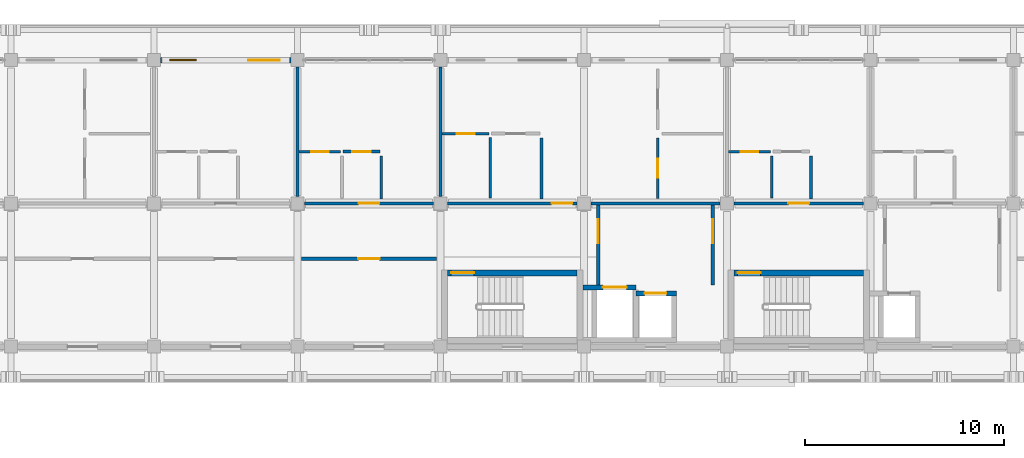
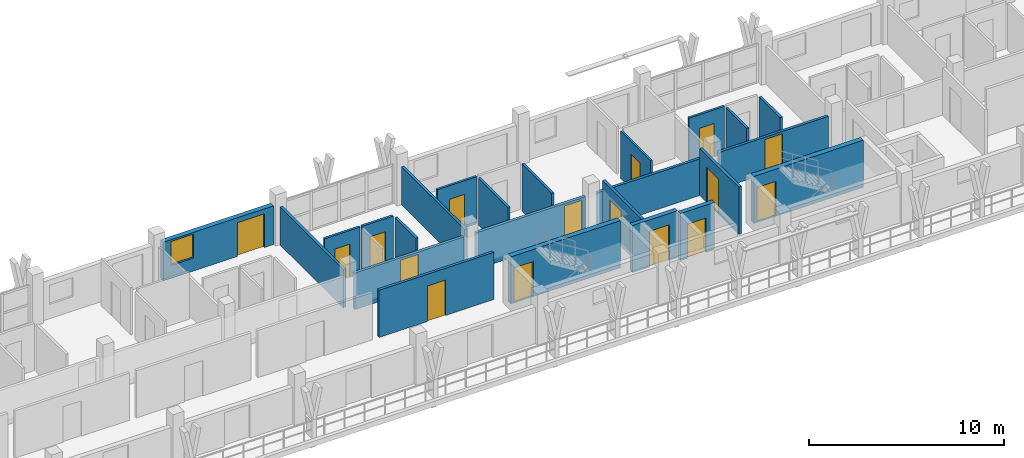
# One storey, part 122 of 157: 24 walls, 16 doors, 1 window, 17 openings.
"""IFC4 building model written with IfcOpenShell, lengths in metres."""

from ifc_helpers import new_model, si_unit, direction, frame, frame_2d, origin, place, context, subcontext, project, spatial, rectangle, extrude, material, layer, layer_set, type_object, element, fill, save


model = new_model("IFC4")

# Units and contexts
model_context = context("Model", 3, precision=1e-05, world=origin(), true_north=direction((0.0, 1.0)))
body_context = subcontext(model_context, "Body", "Model", "MODEL_VIEW")
ifc_project = project(units=[si_unit("LENGTHUNIT", "METRE"), si_unit("AREAUNIT", "SQUARE_METRE"), si_unit("VOLUMEUNIT", "CUBIC_METRE"), si_unit("PLANEANGLEUNIT", "RADIAN"), si_unit("MASSUNIT", "GRAM", prefix="KILO")], contexts=[model_context])

# Site, building, storey
site_placement = place(None, origin())
site = spatial("IfcSite", under=ifc_project, at=site_placement, CompositionType="ELEMENT")
building_placement = place(site_placement, origin())
building = spatial("IfcBuilding", under=site, at=building_placement, Name="Suanplinth Sawtooth Commons", CompositionType="ELEMENT")
storey_placement = place(building_placement, frame((0.0, 0.0, 9.0)))
storey = spatial("IfcBuildingStorey", under=building, at=storey_placement, Name="L02", CompositionType="ELEMENT", Elevation=9.0)

# Wall, opening, door
ifc_material_1 = material(Name="Concrete C40/50", Category="concrete")
ifc_layer_1 = layer(ifc_material_1, 0.300048828125, Name="Standard RC stair and lift core wall 300mm")
ifc_layer_set_1 = layer_set([ifc_layer_1], Name="Concrete C40/50")
wall_type_1 = type_object("IfcWallType", Name="W-CR02", PredefinedType="SHEAR", material=ifc_layer_set_1)
wall_1_placement = place(storey_placement, frame((43.550048828125, 111.699951171875, 0.0), z_axis=(0.0, 0.0, 1.0), x_axis=(1.0, 0.0, 0.0)))
wall_1 = element("IfcWall", 1, at=wall_1_placement, inside=storey, type_object=wall_type_1, Name="W-L02-C-A1-STN", PredefinedType="SHEAR", context=body_context, shape_type="SweptSolid", body=[
    extrude(rectangle(XDim=6.5, YDim=0.300048828125, at=frame_2d((3.25, 0.0))), origin(), (0.0, 0.0, 1.0), 2.9599609375),
])
opening_1_placement = place(wall_1_placement, frame((0.179931640625, 0.0, 0.0)))
opening_1 = element("IfcOpeningElement", 2, at=opening_1_placement, cuts=wall_1, Name="Opening FD0016", PredefinedType="OPENING", context=body_context, shape_type="SweptSolid", body=[
    extrude(rectangle(XDim=1.14990234375, YDim=2.199951171875, at=frame_2d((0.574951171875, 1.10009765625))), frame((0.0, 0.1650390625, 0.0), z_axis=(0.0, -1.0, 0.0), x_axis=(1.0, 0.0, 0.0)), (0.0, 0.0, 1.0), 0.329833984375),
])
ifc_material_2 = material(Name="Teak hardwood fire-rated door assembly", Category="wood")
door_type_1 = type_object("IfcDoorType", Name="FD-01", OperationType="NOTDEFINED", PredefinedType="DOOR", material=ifc_material_2)
door_1_placement = place(opening_1_placement, frame((1.14990234375, 0.0, 0.0), z_axis=(0.0, 0.0, 1.0), x_axis=(-1.0, 0.0, 0.0)))
door_1 = element("IfcDoor", 3, at=door_1_placement, inside=storey, type_object=door_type_1, Name="Exit Stair Fire Door FD0016", OperationType="SINGLE_SWING_LEFT", OverallHeight=2.199951171875, OverallWidth=1.14990234375, PredefinedType="DOOR", context=body_context, shape_type="SweptSolid", body=[
    extrude(rectangle(XDim=1.14990234375, YDim=2.199951171875, at=frame_2d((0.574951171875, 1.10009765625))), frame((0.0, 0.02490234375, 0.0), z_axis=(0.0, -1.0, 0.0), x_axis=(1.0, 0.0, 0.0)), (0.0, 0.0, 1.0), 0.050048828125),
])
fill(opening_1, door_1)

wall_2_placement = place(storey_placement, frame((57.949951171875, 111.699951171875, 0.0), z_axis=(0.0, 0.0, 1.0), x_axis=(1.0, 0.0, 0.0)))
wall_2 = element("IfcWall", 4, at=wall_2_placement, inside=storey, type_object=wall_type_1, Name="W-L02-C-A2-STN", PredefinedType="SHEAR", context=body_context, shape_type="SweptSolid", body=[
    extrude(rectangle(XDim=6.5, YDim=0.300048828125, at=frame_2d((3.25, 0.0))), origin(), (0.0, 0.0, 1.0), 2.9599609375),
])
opening_2_placement = place(wall_2_placement, frame((0.179931640625, 0.0, 0.0)))
opening_2 = element("IfcOpeningElement", 5, at=opening_2_placement, cuts=wall_2, Name="Opening FD0098", PredefinedType="OPENING", context=body_context, shape_type="SweptSolid", body=[
    extrude(rectangle(XDim=1.14990234375, YDim=2.199951171875, at=frame_2d((0.574951171875, 1.10009765625))), frame((0.0, 0.1650390625, 0.0), z_axis=(0.0, -1.0, 0.0), x_axis=(1.0, 0.0, 0.0)), (0.0, 0.0, 1.0), 0.329833984375),
])
door_2_placement = place(opening_2_placement, frame((1.14990234375, 0.0, 0.0), z_axis=(0.0, 0.0, 1.0), x_axis=(-1.0, 0.0, 0.0)))
door_2 = element("IfcDoor", 6, at=door_2_placement, inside=storey, type_object=door_type_1, Name="Exit Stair Fire Door FD0098", OperationType="SINGLE_SWING_RIGHT", OverallHeight=2.199951171875, OverallWidth=1.14990234375, PredefinedType="DOOR", context=body_context, shape_type="SweptSolid", body=[
    extrude(rectangle(XDim=1.14990234375, YDim=2.199951171875, at=frame_2d((0.574951171875, 1.10009765625))), frame((0.0, 0.02490234375, 0.0), z_axis=(0.0, -1.0, 0.0), x_axis=(1.0, 0.0, 0.0)), (0.0, 0.0, 1.0), 0.050048828125),
])
fill(opening_2, door_2)

# Wall, openings, door, window
ifc_material_3 = material(Name="Precast concrete C40/50", Category="concrete")
ifc_layer_2 = layer(ifc_material_3, 0.280029296875, Name="Insulated precast architectural facade wall 280mm")
ifc_layer_set_2 = layer_set([ifc_layer_2], Name="Precast concrete C40/50")
wall_type_2 = type_object("IfcWallType", Name="W-EX01", PredefinedType="ELEMENTEDWALL", material=ifc_layer_set_2)
wall_3_placement = place(storey_placement, frame((29.125, 122.39990234375, 0.0), z_axis=(0.0, 0.0, 1.0), x_axis=(1.0, 0.0, 0.0)))
wall_3 = element("IfcWall", 7, at=wall_3_placement, inside=storey, type_object=wall_type_2, Name="Facade Wall W-L02-A-N-4", PredefinedType="ELEMENTEDWALL", context=body_context, shape_type="SweptSolid", body=[
    extrude(rectangle(XDim=6.550048828125, YDim=0.280029296875, at=frame_2d((3.27490234375, 0.0))), origin(), (0.0, 0.0, 1.0), 2.425048828125),
])
opening_3_placement = place(wall_3_placement, frame((4.39990234375, 0.0, 0.0)))
opening_3 = element("IfcOpeningElement", 8, at=opening_3_placement, cuts=wall_3, Name="Opening ED0136", PredefinedType="OPENING", context=body_context, shape_type="SweptSolid", body=[
    extrude(rectangle(XDim=1.60009765625, YDim=2.1201171875, at=frame_2d((0.800048828125, 1.06005859375))), frame((0.0, 0.15478515625, 0.0), z_axis=(0.0, -1.0, 0.0), x_axis=(1.0, 0.0, 0.0)), (0.0, 0.0, 1.0), 0.309814453125),
])
opening_4_placement = place(wall_3_placement, frame((0.449951171875, 0.0, 0.81494140625)))
opening_4 = element("IfcOpeningElement", 9, at=opening_4_placement, cuts=wall_3, Name="Opening W0253", PredefinedType="OPENING", context=body_context, shape_type="SweptSolid", body=[
    extrude(rectangle(XDim=1.35009765625, YDim=1.5, at=frame_2d((0.675048828125, 0.75))), frame((0.0, 0.15478515625, 0.0), z_axis=(0.0, -1.0, 0.0), x_axis=(1.0, 0.0, 0.0)), (0.0, 0.0, 1.0), 0.309814453125),
])
ifc_material_4 = material(Name="Anodized aluminium and low-E glass", Category="aluminium")
door_type_2 = type_object("IfcDoorType", Name="SD-02", OperationType="SLIDING_TO_RIGHT", PredefinedType="DOOR", material=ifc_material_4)
door_3_placement = place(opening_3_placement, frame((1.60009765625, 0.0, 0.0), z_axis=(0.0, 0.0, 1.0), x_axis=(-1.0, 0.0, 0.0)))
door_3 = element("IfcDoor", 10, at=door_3_placement, inside=storey, type_object=door_type_2, Name="Balcony Sliding Door L02-A-N-4", OperationType="SLIDING_TO_RIGHT", OverallHeight=2.1201171875, OverallWidth=1.60009765625, PredefinedType="DOOR", context=body_context, shape_type="SweptSolid", body=[
    extrude(rectangle(XDim=1.60009765625, YDim=2.1201171875, at=frame_2d((0.800048828125, 1.06005859375))), frame((0.0, 0.02490234375, 0.0), z_axis=(0.0, -1.0, 0.0), x_axis=(1.0, 0.0, 0.0)), (0.0, 0.0, 1.0), 0.050048828125),
])
fill(opening_3, door_3)
ifc_material_5 = material(Name="Thermally broken aluminium and low-E double glazing", Category="aluminium")
window_type = type_object("IfcWindowType", Name="WN-14", PartitioningType="SINGLE_PANEL", PredefinedType="WINDOW", material=ifc_material_5)
window_placement = place(opening_4_placement, origin())
window = element("IfcWindow", 11, at=window_placement, inside=storey, type_object=window_type, Name="Window L02-A-N-4", OverallHeight=1.5, OverallWidth=1.35009765625, PartitioningType="SINGLE_PANEL", PredefinedType="WINDOW", context=body_context, shape_type="SweptSolid", body=[
    extrude(rectangle(XDim=1.35009765625, YDim=1.5, at=frame_2d((0.675048828125, 0.75))), frame((0.0, 0.030029296875, 0.0), z_axis=(0.0, -1.0, 0.0), x_axis=(1.0, 0.0, 0.0)), (0.0, 0.0, 1.0), 0.06005859375),
])
fill(opening_4, window)

# Wall, opening, door
ifc_layer_3 = layer(ifc_material_3, 0.159912109375, Name="Fire-rated corridor and lobby wall 160mm")
ifc_layer_set_3 = layer_set([ifc_layer_3], Name="Precast concrete C40/50")
wall_type_3 = type_object("IfcWallType", Name="W-FW01", PredefinedType="PARTITIONING", material=ifc_layer_set_3)
wall_4_placement = place(storey_placement, frame((51.1201171875, 111.10009765625, 0.0), z_axis=(0.0, 0.0, 1.0), x_axis=(0.0, 1.0, 0.0)))
wall_4 = element("IfcWall", 12, at=wall_4_placement, inside=storey, type_object=wall_type_3, Name="W-L02-C-A1-LOB-W", PredefinedType="PARTITIONING", context=body_context, shape_type="SweptSolid", body=[
    extrude(rectangle(XDim=4.02001953125, YDim=0.159912109375, at=frame_2d((2.010009765625, 0.0))), origin(), (0.0, 0.0, 1.0), 2.9599609375),
])
opening_5_placement = place(wall_4_placement, frame((2.10009765625, 0.0, 0.0)))
opening_5 = element("IfcOpeningElement", 13, at=opening_5_placement, cuts=wall_4, Name="Opening FD0017", PredefinedType="OPENING", context=body_context, shape_type="SweptSolid", body=[
    extrude(rectangle(XDim=1.199951171875, YDim=2.199951171875, at=frame_2d((0.60009765625, 1.10009765625))), frame((0.0, 0.0947265625, 0.0), z_axis=(0.0, -1.0, 0.0), x_axis=(1.0, 0.0, 0.0)), (0.0, 0.0, 1.0), 0.189697265625),
])
door_type_3 = type_object("IfcDoorType", Name="FD-02", OperationType="NOTDEFINED", PredefinedType="DOOR", material=ifc_material_2)
door_4_placement = place(opening_5_placement, origin())
door_4 = element("IfcDoor", 14, at=door_4_placement, inside=storey, type_object=door_type_3, Name="Lobby Fire Door FD0017", OperationType="SINGLE_SWING_RIGHT", OverallHeight=2.199951171875, OverallWidth=1.199951171875, PredefinedType="DOOR", context=body_context, shape_type="SweptSolid", body=[
    extrude(rectangle(XDim=1.199951171875, YDim=2.199951171875, at=frame_2d((0.60009765625, 1.10009765625))), frame((0.0, 0.02490234375, 0.0), z_axis=(0.0, -1.0, 0.0), x_axis=(1.0, 0.0, 0.0)), (0.0, 0.0, 1.0), 0.050048828125),
])
fill(opening_5, door_4)

wall_5_placement = place(storey_placement, frame((56.8798828125, 111.10009765625, 0.0), z_axis=(0.0, 0.0, 1.0), x_axis=(0.0, 1.0, 0.0)))
wall_5 = element("IfcWall", 15, at=wall_5_placement, inside=storey, type_object=wall_type_3, Name="W-L02-C-A1-LOB-E", PredefinedType="PARTITIONING", context=body_context, shape_type="SweptSolid", body=[
    extrude(rectangle(XDim=4.02001953125, YDim=0.159912109375, at=frame_2d((2.010009765625, 0.0))), origin(), (0.0, 0.0, 1.0), 2.9599609375),
])
opening_6_placement = place(wall_5_placement, frame((2.10009765625, 0.0, 0.0)))
opening_6 = element("IfcOpeningElement", 16, at=opening_6_placement, cuts=wall_5, Name="Opening FD0018", PredefinedType="OPENING", context=body_context, shape_type="SweptSolid", body=[
    extrude(rectangle(XDim=1.199951171875, YDim=2.199951171875, at=frame_2d((0.60009765625, 1.10009765625))), frame((0.0, 0.0947265625, 0.0), z_axis=(0.0, -1.0, 0.0), x_axis=(1.0, 0.0, 0.0)), (0.0, 0.0, 1.0), 0.189697265625),
])
door_5_placement = place(opening_6_placement, frame((1.199951171875, 0.0, 0.0), z_axis=(0.0, 0.0, 1.0), x_axis=(-1.0, 0.0, 0.0)))
door_5 = element("IfcDoor", 17, at=door_5_placement, inside=storey, type_object=door_type_3, Name="Lobby Fire Door FD0018", OperationType="SINGLE_SWING_LEFT", OverallHeight=2.199951171875, OverallWidth=1.199951171875, PredefinedType="DOOR", context=body_context, shape_type="SweptSolid", body=[
    extrude(rectangle(XDim=1.199951171875, YDim=2.199951171875, at=frame_2d((0.60009765625, 1.10009765625))), frame((0.0, 0.02490234375, 0.0), z_axis=(0.0, -1.0, 0.0), x_axis=(1.0, 0.0, 0.0)), (0.0, 0.0, 1.0), 0.050048828125),
])
fill(opening_6, door_5)

wall_6_placement = place(storey_placement, frame((36.35498046875, 115.199951171875, 0.0), z_axis=(0.0, 0.0, 1.0), x_axis=(1.0, 0.0, 0.0)))
wall_6 = element("IfcWall", 18, at=wall_6_placement, inside=storey, type_object=wall_type_3, Name="W-A-L02-U05-COR", PredefinedType="PARTITIONING", context=body_context, shape_type="SweptSolid", body=[
    extrude(rectangle(XDim=6.489990234375, YDim=0.159912109375, at=frame_2d((3.2451171875, 0.0))), origin(), (0.0, 0.0, 1.0), 2.294921875),
])
opening_7_placement = place(wall_6_placement, frame((2.719970703125, 0.0, 0.0)))
opening_7 = element("IfcOpeningElement", 19, at=opening_7_placement, cuts=wall_6, Name="Opening FD0702", PredefinedType="OPENING", context=body_context, shape_type="SweptSolid", body=[
    extrude(rectangle(XDim=1.050048828125, YDim=2.14990234375, at=frame_2d((0.52490234375, 1.074951171875))), frame((0.0, 0.0947265625, 0.0), z_axis=(0.0, -1.0, 0.0), x_axis=(1.0, 0.0, 0.0)), (0.0, 0.0, 1.0), 0.189697265625),
])
door_type_4 = type_object("IfcDoorType", Name="FD-04", OperationType="NOTDEFINED", PredefinedType="DOOR", material=ifc_material_2)
door_6_placement = place(opening_7_placement, origin())
door_6 = element("IfcDoor", 20, at=door_6_placement, inside=storey, type_object=door_type_4, Name="Unit Entrance Door FD0702", OperationType="SINGLE_SWING_RIGHT", OverallHeight=2.14990234375, OverallWidth=1.050048828125, PredefinedType="DOOR", context=body_context, shape_type="SweptSolid", body=[
    extrude(rectangle(XDim=1.050048828125, YDim=2.14990234375, at=frame_2d((0.52490234375, 1.074951171875))), frame((0.0, 0.02490234375, 0.0), z_axis=(0.0, -1.0, 0.0), x_axis=(1.0, 0.0, 0.0)), (0.0, 0.0, 1.0), 0.050048828125),
])
fill(opening_7, door_6)

wall_7_placement = place(storey_placement, frame((43.554931640625, 115.199951171875, 0.0), z_axis=(0.0, 0.0, 1.0), x_axis=(1.0, 0.0, 0.0)))
wall_7 = element("IfcWall", 21, at=wall_7_placement, inside=storey, type_object=wall_type_3, Name="W-A-L02-U06-COR-S1", PredefinedType="PARTITIONING", context=body_context, shape_type="SweptSolid", body=[
    extrude(rectangle(XDim=6.489990234375, YDim=0.159912109375, at=frame_2d((3.2451171875, 0.0))), origin(), (0.0, 0.0, 1.0), 2.294921875),
])
opening_8_placement = place(wall_7_placement, frame((5.219970703125, 0.0, 0.0)))
opening_8 = element("IfcOpeningElement", 22, at=opening_8_placement, cuts=wall_7, Name="Opening FD0705", PredefinedType="OPENING", context=body_context, shape_type="SweptSolid", body=[
    extrude(rectangle(XDim=1.050048828125, YDim=2.14990234375, at=frame_2d((0.52490234375, 1.074951171875))), frame((0.0, 0.0947265625, 0.0), z_axis=(0.0, -1.0, 0.0), x_axis=(1.0, 0.0, 0.0)), (0.0, 0.0, 1.0), 0.189697265625),
])
door_7_placement = place(opening_8_placement, origin())
door_7 = element("IfcDoor", 23, at=door_7_placement, inside=storey, type_object=door_type_4, Name="Unit Entrance Door FD0705", OperationType="SINGLE_SWING_LEFT", OverallHeight=2.14990234375, OverallWidth=1.050048828125, PredefinedType="DOOR", context=body_context, shape_type="SweptSolid", body=[
    extrude(rectangle(XDim=1.050048828125, YDim=2.14990234375, at=frame_2d((0.52490234375, 1.074951171875))), frame((0.0, 0.02490234375, 0.0), z_axis=(0.0, -1.0, 0.0), x_axis=(1.0, 0.0, 0.0)), (0.0, 0.0, 1.0), 0.050048828125),
])
fill(opening_8, door_7)

# Wall
wall_8_placement = place(storey_placement, frame((50.7548828125, 115.199951171875, 0.0), z_axis=(0.0, 0.0, 1.0), x_axis=(1.0, 0.0, 0.0)))
element("IfcWall", 24, at=wall_8_placement, inside=storey, type_object=wall_type_3, Name="W-A-L02-U06-COR-S2", PredefinedType="PARTITIONING", context=body_context, shape_type="SweptSolid", body=[
    extrude(rectangle(XDim=6.490234375, YDim=0.159912109375, at=frame_2d((3.2451171875, 0.0))), origin(), (0.0, 0.0, 1.0), 2.294921875),
])

# Wall, opening, door
wall_9_placement = place(storey_placement, frame((57.955078125, 115.199951171875, 0.0), z_axis=(0.0, 0.0, 1.0), x_axis=(1.0, 0.0, 0.0)))
wall_9 = element("IfcWall", 25, at=wall_9_placement, inside=storey, type_object=wall_type_3, Name="W-A-L02-U07-COR", PredefinedType="PARTITIONING", context=body_context, shape_type="SweptSolid", body=[
    extrude(rectangle(XDim=6.489990234375, YDim=0.159912109375, at=frame_2d((3.2451171875, 0.0))), origin(), (0.0, 0.0, 1.0), 2.294921875),
])
opening_9_placement = place(wall_9_placement, frame((2.719970703125, 0.0, 0.0)))
opening_9 = element("IfcOpeningElement", 26, at=opening_9_placement, cuts=wall_9, Name="Opening FD0710", PredefinedType="OPENING", context=body_context, shape_type="SweptSolid", body=[
    extrude(rectangle(XDim=1.050048828125, YDim=2.14990234375, at=frame_2d((0.52490234375, 1.074951171875))), frame((0.0, 0.0947265625, 0.0), z_axis=(0.0, -1.0, 0.0), x_axis=(1.0, 0.0, 0.0)), (0.0, 0.0, 1.0), 0.189697265625),
])
door_8_placement = place(opening_9_placement, origin())
door_8 = element("IfcDoor", 27, at=door_8_placement, inside=storey, type_object=door_type_4, Name="Unit Entrance Door FD0710", OperationType="SINGLE_SWING_RIGHT", OverallHeight=2.14990234375, OverallWidth=1.050048828125, PredefinedType="DOOR", context=body_context, shape_type="SweptSolid", body=[
    extrude(rectangle(XDim=1.050048828125, YDim=2.14990234375, at=frame_2d((0.52490234375, 1.074951171875))), frame((0.0, 0.02490234375, 0.0), z_axis=(0.0, -1.0, 0.0), x_axis=(1.0, 0.0, 0.0)), (0.0, 0.0, 1.0), 0.050048828125),
])
fill(opening_9, door_8)

wall_10_placement = place(storey_placement, frame((36.199951171875, 112.419921875, 0.0), z_axis=(0.0, 0.0, 1.0), x_axis=(1.0, 0.0, 0.0)))
wall_10 = element("IfcWall", 28, at=wall_10_placement, inside=storey, type_object=wall_type_3, Name="W-A-L02-COURTROOM-18-COR", PredefinedType="PARTITIONING", context=body_context, shape_type="SweptSolid", body=[
    extrude(rectangle(XDim=6.800048828125, YDim=0.159912109375, at=frame_2d((3.39990234375, 0.0))), origin(), (0.0, 0.0, 1.0), 2.9599609375),
])
opening_10_placement = place(wall_10_placement, frame((2.860107421875, 0.0, 0.0)))
opening_10 = element("IfcOpeningElement", 29, at=opening_10_placement, cuts=wall_10, Name="Opening D0738", PredefinedType="OPENING", context=body_context, shape_type="SweptSolid", body=[
    extrude(rectangle(XDim=1.080078125, YDim=2.219970703125, at=frame_2d((0.5400390625, 1.10986328125))), frame((0.0, 0.0947265625, 0.0), z_axis=(0.0, -1.0, 0.0), x_axis=(1.0, 0.0, 0.0)), (0.0, 0.0, 1.0), 0.189697265625),
])
ifc_material_6 = material(Name="Teak hardwood", Category="wood")
door_type_5 = type_object("IfcDoorType", Name="D-17", OperationType="NOTDEFINED", PredefinedType="DOOR", material=ifc_material_6)
door_9_placement = place(opening_10_placement, frame((1.080078125, 0.0, 0.0), z_axis=(0.0, 0.0, 1.0), x_axis=(-1.0, 0.0, 0.0)))
door_9 = element("IfcDoor", 30, at=door_9_placement, inside=storey, type_object=door_type_5, Name="Study Studio Door D0738", OperationType="SINGLE_SWING_RIGHT", OverallHeight=2.219970703125, OverallWidth=1.080078125, PredefinedType="DOOR", context=body_context, shape_type="SweptSolid", body=[
    extrude(rectangle(XDim=1.080078125, YDim=2.219970703125, at=frame_2d((0.5400390625, 1.10986328125))), frame((0.0, 0.02490234375, 0.0), z_axis=(0.0, -1.0, 0.0), x_axis=(1.0, 0.0, 0.0)), (0.0, 0.0, 1.0), 0.050048828125),
])
fill(opening_10, door_9)

# Walls
ifc_layer_4 = layer(ifc_material_3, 0.14990234375, Name="Acoustic precast party demising wall 150mm")
ifc_layer_set_4 = layer_set([ifc_layer_4], Name="Precast concrete C40/50")
wall_type_4 = type_object("IfcWallType", Name="W-FW02", PredefinedType="PARTITIONING", material=ifc_layer_set_4)
for number, where, z_axis, x_axis, name in (
    (31, (36.0, 115.554931640625, 0.0), (0.0, 0.0, 1.0), (0.0, 1.0, 0.0), "W-A-L02-U04-PTY"),
    (32, (43.199951171875, 115.554931640625, 0.0), (0.0, 0.0, 1.0), (0.0, 1.0, 0.0), "W-A-L02-U05-PTY"),
):
    element("IfcWall", number, at=place(storey_placement, frame(where, z_axis=z_axis, x_axis=x_axis)), inside=storey, type_object=wall_type_4, Name=name, PredefinedType="PARTITIONING", context=body_context, shape_type="SweptSolid", body=[
        extrude(rectangle(XDim=6.489990234375, YDim=0.14990234375, at=frame_2d((3.2451171875, 0.0))), origin(), (0.0, 0.0, 1.0), 2.39501953125),
    ])

# Wall, opening, door
ifc_material_7 = material(Name="Gypsum plasterboard on steel stud", Category="steel")
ifc_layer_5 = layer(ifc_material_7, 0.139892578125, Name="Fire-rated kitchen partition 140mm")
ifc_layer_set_5 = layer_set([ifc_layer_5], Name="Gypsum plasterboard on steel stud")
wall_type_5 = type_object("IfcWallType", Name="W-PT01", PredefinedType="PARTITIONING", material=ifc_layer_set_5)
wall_11_placement = place(storey_placement, frame((38.300048828125, 117.800048828125, 0.0), z_axis=(0.0, 0.0, 1.0), x_axis=(1.0, 0.0, 0.0)))
wall_11 = element("IfcWall", 33, at=wall_11_placement, inside=storey, type_object=wall_type_5, Name="W-A-L02-U05-KIT1", PredefinedType="PARTITIONING", context=body_context, shape_type="SweptSolid", body=[
    extrude(rectangle(XDim=1.849853515625, YDim=0.139892578125, at=frame_2d((0.9248046875, 0.0))), origin(), (0.0, 0.0, 1.0), 2.9599609375),
])
opening_11_placement = place(wall_11_placement, frame((0.4599609375, 0.0, 0.0)))
opening_11 = element("IfcOpeningElement", 34, at=opening_11_placement, cuts=wall_11, Name="Opening D0704", PredefinedType="OPENING", context=body_context, shape_type="SweptSolid", body=[
    extrude(rectangle(XDim=0.929931640625, YDim=2.139892578125, at=frame_2d((0.46484375, 1.06982421875))), frame((0.0, 0.0849609375, 0.0), z_axis=(0.0, -1.0, 0.0), x_axis=(1.0, 0.0, 0.0)), (0.0, 0.0, 1.0), 0.169677734375),
])
door_type_6 = type_object("IfcDoorType", Name="D-19", OperationType="NOTDEFINED", PredefinedType="DOOR", material=ifc_material_6)
door_10_placement = place(opening_11_placement, frame((0.929931640625, 0.0, 0.0), z_axis=(0.0, 0.0, 1.0), x_axis=(-1.0, 0.0, 0.0)))
door_10 = element("IfcDoor", 35, at=door_10_placement, inside=storey, type_object=door_type_6, Name="Kitchen Door D0704", OperationType="SINGLE_SWING_RIGHT", OverallHeight=2.139892578125, OverallWidth=0.929931640625, PredefinedType="DOOR", context=body_context, shape_type="SweptSolid", body=[
    extrude(rectangle(XDim=0.929931640625, YDim=2.139892578125, at=frame_2d((0.46484375, 1.06982421875))), frame((0.0, 0.02490234375, 0.0), z_axis=(0.0, -1.0, 0.0), x_axis=(1.0, 0.0, 0.0)), (0.0, 0.0, 1.0), 0.050048828125),
])
fill(opening_11, door_10)

# Walls
wall_12_placement = place(storey_placement, frame((40.219970703125, 115.429931640625, 0.0), z_axis=(0.0, 0.0, 1.0), x_axis=(0.0, 1.0, 0.0)))
element("IfcWall", 36, at=wall_12_placement, inside=storey, type_object=wall_type_5, Name="W-A-L02-U05-KIT2", PredefinedType="PARTITIONING", context=body_context, shape_type="SweptSolid", body=[
    extrude(rectangle(XDim=2.150146484375, YDim=0.139892578125, at=frame_2d((1.0751953125, 0.0))), origin(), (0.0, 0.0, 1.0), 2.9599609375),
])
wall_13_placement = place(storey_placement, frame((48.27001953125, 115.429931640625, 0.0), z_axis=(0.0, 0.0, 1.0), x_axis=(0.0, 1.0, 0.0)))
element("IfcWall", 37, at=wall_13_placement, inside=storey, type_object=wall_type_5, Name="W-A-L02-U06-KIT2", PredefinedType="PARTITIONING", context=body_context, shape_type="SweptSolid", body=[
    extrude(rectangle(XDim=3.06005859375, YDim=0.139892578125, at=frame_2d((1.530029296875, 0.0))), origin(), (0.0, 0.0, 1.0), 2.9599609375),
])
wall_14_placement = place(storey_placement, frame((61.820068359375, 115.429931640625, 0.0), z_axis=(0.0, 0.0, 1.0), x_axis=(0.0, 1.0, 0.0)))
element("IfcWall", 38, at=wall_14_placement, inside=storey, type_object=wall_type_5, Name="W-A-L02-U07-KIT2", PredefinedType="PARTITIONING", context=body_context, shape_type="SweptSolid", body=[
    extrude(rectangle(XDim=2.150146484375, YDim=0.139892578125, at=frame_2d((1.0751953125, 0.0))), origin(), (0.0, 0.0, 1.0), 2.9599609375),
])

# Wall, opening, door
ifc_layer_6 = layer(ifc_material_7, 0.1298828125, Name="Moisture-resistant bathroom partition 130mm")
ifc_layer_set_6 = layer_set([ifc_layer_6], Name="Gypsum plasterboard on steel stud")
wall_type_6 = type_object("IfcWallType", Name="W-PT02", PredefinedType="PARTITIONING", material=ifc_layer_set_6)
wall_15_placement = place(storey_placement, frame((36.080078125, 117.794921875, 0.0), z_axis=(0.0, 0.0, 1.0), x_axis=(1.0, 0.0, 0.0)))
wall_15 = element("IfcWall", 39, at=wall_15_placement, inside=storey, type_object=wall_type_6, Name="W-A-L02-U05-BTH1", PredefinedType="PARTITIONING", context=body_context, shape_type="SweptSolid", body=[
    extrude(rectangle(XDim=2.099853515625, YDim=0.1298828125, at=frame_2d((1.0498046875, 0.0))), origin(), (0.0, 0.0, 1.0), 2.9599609375),
])
opening_12_placement = place(wall_15_placement, frame((0.610107421875, 0.0, 0.0)))
opening_12 = element("IfcOpeningElement", 40, at=opening_12_placement, cuts=wall_15, Name="Opening D0703", PredefinedType="OPENING", context=body_context, shape_type="SweptSolid", body=[
    extrude(rectangle(XDim=0.8798828125, YDim=2.10009765625, at=frame_2d((0.43994140625, 1.050048828125))), frame((0.0, 0.079833984375, 0.0), z_axis=(0.0, -1.0, 0.0), x_axis=(1.0, 0.0, 0.0)), (0.0, 0.0, 1.0), 0.15966796875),
])
door_type_7 = type_object("IfcDoorType", Name="D-14", OperationType="NOTDEFINED", PredefinedType="DOOR", material=ifc_material_6)
door_11_placement = place(opening_12_placement, frame((0.8798828125, 0.0, 0.0), z_axis=(0.0, 0.0, 1.0), x_axis=(-1.0, 0.0, 0.0)))
door_11 = element("IfcDoor", 41, at=door_11_placement, inside=storey, type_object=door_type_7, Name="Bathroom Door D0703", OperationType="SINGLE_SWING_LEFT", OverallHeight=2.10009765625, OverallWidth=0.8798828125, PredefinedType="DOOR", context=body_context, shape_type="SweptSolid", body=[
    extrude(rectangle(XDim=0.8798828125, YDim=2.10009765625, at=frame_2d((0.43994140625, 1.050048828125))), frame((0.0, 0.02490234375, 0.0), z_axis=(0.0, -1.0, 0.0), x_axis=(1.0, 0.0, 0.0)), (0.0, 0.0, 1.0), 0.050048828125),
])
fill(opening_12, door_11)

wall_16_placement = place(storey_placement, frame((43.280029296875, 118.705078125, 0.0), z_axis=(0.0, 0.0, 1.0), x_axis=(1.0, 0.0, 0.0)))
wall_16 = element("IfcWall", 42, at=wall_16_placement, inside=storey, type_object=wall_type_6, Name="W-A-L02-U06-BTH1", PredefinedType="PARTITIONING", context=body_context, shape_type="SweptSolid", body=[
    extrude(rectangle(XDim=2.349853515625, YDim=0.1298828125, at=frame_2d((1.1748046875, 0.0))), origin(), (0.0, 0.0, 1.0), 2.9599609375),
])
opening_13_placement = place(wall_16_placement, frame((0.72509765625, 0.0, 0.0)))
opening_13 = element("IfcOpeningElement", 43, at=opening_13_placement, cuts=wall_16, Name="Opening D0706", PredefinedType="OPENING", context=body_context, shape_type="SweptSolid", body=[
    extrude(rectangle(XDim=0.89990234375, YDim=2.10009765625, at=frame_2d((0.449951171875, 1.050048828125))), frame((0.0, 0.079833984375, 0.0), z_axis=(0.0, -1.0, 0.0), x_axis=(1.0, 0.0, 0.0)), (0.0, 0.0, 1.0), 0.15966796875),
])
door_type_8 = type_object("IfcDoorType", Name="D-01", OperationType="NOTDEFINED", PredefinedType="DOOR", material=ifc_material_6)
door_12_placement = place(opening_13_placement, frame((0.89990234375, 0.0, 0.0), z_axis=(0.0, 0.0, 1.0), x_axis=(-1.0, 0.0, 0.0)))
door_12 = element("IfcDoor", 44, at=door_12_placement, inside=storey, type_object=door_type_8, Name="Bathroom Door D0706", OperationType="SINGLE_SWING_RIGHT", OverallHeight=2.10009765625, OverallWidth=0.89990234375, PredefinedType="DOOR", context=body_context, shape_type="SweptSolid", body=[
    extrude(rectangle(XDim=0.89990234375, YDim=2.10009765625, at=frame_2d((0.449951171875, 1.050048828125))), frame((0.0, 0.02490234375, 0.0), z_axis=(0.0, -1.0, 0.0), x_axis=(1.0, 0.0, 0.0)), (0.0, 0.0, 1.0), 0.050048828125),
])
fill(opening_13, door_12)

# Wall
wall_17_placement = place(storey_placement, frame((45.695068359375, 115.4599609375, 0.0), z_axis=(0.0, 0.0, 1.0), x_axis=(0.0, 1.0, 0.0)))
element("IfcWall", 45, at=wall_17_placement, inside=storey, type_object=wall_type_6, Name="W-A-L02-U06-BTH2", PredefinedType="PARTITIONING", context=body_context, shape_type="SweptSolid", body=[
    extrude(rectangle(XDim=3.0400390625, YDim=0.1298828125, at=frame_2d((1.52001953125, 0.0))), origin(), (0.0, 0.0, 1.0), 2.9599609375),
])

# Wall, opening, door
wall_18_placement = place(storey_placement, frame((57.679931640625, 117.794921875, 0.0), z_axis=(0.0, 0.0, 1.0), x_axis=(1.0, 0.0, 0.0)))
wall_18 = element("IfcWall", 46, at=wall_18_placement, inside=storey, type_object=wall_type_6, Name="W-A-L02-U07-BTH1", PredefinedType="PARTITIONING", context=body_context, shape_type="SweptSolid", body=[
    extrude(rectangle(XDim=2.10009765625, YDim=0.1298828125, at=frame_2d((1.050048828125, 0.0))), origin(), (0.0, 0.0, 1.0), 2.9599609375),
])
opening_14_placement = place(wall_18_placement, frame((0.610107421875, 0.0, 0.0)))
opening_14 = element("IfcOpeningElement", 47, at=opening_14_placement, cuts=wall_18, Name="Opening D0711", PredefinedType="OPENING", context=body_context, shape_type="SweptSolid", body=[
    extrude(rectangle(XDim=0.8798828125, YDim=2.10009765625, at=frame_2d((0.43994140625, 1.050048828125))), frame((0.0, 0.079833984375, 0.0), z_axis=(0.0, -1.0, 0.0), x_axis=(1.0, 0.0, 0.0)), (0.0, 0.0, 1.0), 0.15966796875),
])
door_13_placement = place(opening_14_placement, frame((0.8798828125, 0.0, 0.0), z_axis=(0.0, 0.0, 1.0), x_axis=(-1.0, 0.0, 0.0)))
door_13 = element("IfcDoor", 48, at=door_13_placement, inside=storey, type_object=door_type_7, Name="Bathroom Door D0711", OperationType="SINGLE_SWING_LEFT", OverallHeight=2.10009765625, OverallWidth=0.8798828125, PredefinedType="DOOR", context=body_context, shape_type="SweptSolid", body=[
    extrude(rectangle(XDim=0.8798828125, YDim=2.10009765625, at=frame_2d((0.43994140625, 1.050048828125))), frame((0.0, 0.02490234375, 0.0), z_axis=(0.0, -1.0, 0.0), x_axis=(1.0, 0.0, 0.0)), (0.0, 0.0, 1.0), 0.050048828125),
])
fill(opening_14, door_13)

# Wall
wall_19_placement = place(storey_placement, frame((59.844970703125, 115.4599609375, 0.0), z_axis=(0.0, 0.0, 1.0), x_axis=(0.0, 1.0, 0.0)))
element("IfcWall", 49, at=wall_19_placement, inside=storey, type_object=wall_type_6, Name="W-A-L02-U07-BTH2", PredefinedType="PARTITIONING", context=body_context, shape_type="SweptSolid", body=[
    extrude(rectangle(XDim=2.130126953125, YDim=0.1298828125, at=frame_2d((1.06494140625, 0.0))), origin(), (0.0, 0.0, 1.0), 2.9599609375),
])

# Wall, opening, door
ifc_layer_7 = layer(ifc_material_7, 0.1201171875, Name="Acoustic bedroom partition 120mm")
ifc_layer_set_7 = layer_set([ifc_layer_7], Name="Gypsum plasterboard on steel stud")
wall_type_7 = type_object("IfcWallType", Name="W-PT03", PredefinedType="PARTITIONING", material=ifc_layer_set_7)
wall_20_placement = place(storey_placement, frame((54.1201171875, 115.43994140625, 0.0), z_axis=(0.0, 0.0, 1.0), x_axis=(0.0, 1.0, 0.0)))
wall_20 = element("IfcWall", 50, at=wall_20_placement, inside=storey, type_object=wall_type_7, Name="W-A-L02-U06-BED2", PredefinedType="PARTITIONING", context=body_context, shape_type="SweptSolid", body=[
    extrude(rectangle(XDim=3.0400390625, YDim=0.1201171875, at=frame_2d((1.52001953125, 0.0))), origin(), (0.0, 0.0, 1.0), 2.9599609375),
])
opening_15_placement = place(wall_20_placement, frame((1.0400390625, 0.0, 0.0)))
opening_15 = element("IfcOpeningElement", 51, at=opening_15_placement, cuts=wall_20, Name="Opening D0709", PredefinedType="OPENING", context=body_context, shape_type="SweptSolid", body=[
    extrude(rectangle(XDim=0.9599609375, YDim=2.14990234375, at=frame_2d((0.47998046875, 1.074951171875))), frame((0.0, 0.074951171875, 0.0), z_axis=(0.0, -1.0, 0.0), x_axis=(1.0, 0.0, 0.0)), (0.0, 0.0, 1.0), 0.14990234375),
])
door_type_9 = type_object("IfcDoorType", Name="D-13", OperationType="NOTDEFINED", PredefinedType="DOOR", material=ifc_material_6)
door_14_placement = place(opening_15_placement, frame((0.9599609375, 0.0, 0.0), z_axis=(0.0, 0.0, 1.0), x_axis=(-1.0, 0.0, 0.0)))
door_14 = element("IfcDoor", 52, at=door_14_placement, inside=storey, type_object=door_type_9, Name="Second Bedroom Door D0709", OperationType="SINGLE_SWING_LEFT", OverallHeight=2.14990234375, OverallWidth=0.9599609375, PredefinedType="DOOR", context=body_context, shape_type="SweptSolid", body=[
    extrude(rectangle(XDim=0.9599609375, YDim=2.14990234375, at=frame_2d((0.47998046875, 1.074951171875))), frame((0.0, 0.02490234375, 0.0), z_axis=(0.0, -1.0, 0.0), x_axis=(1.0, 0.0, 0.0)), (0.0, 0.0, 1.0), 0.050048828125),
])
fill(opening_15, door_14)

ifc_layer_8 = layer(ifc_material_3, 0.25, Name="Precast structural shear wall 250mm")
ifc_layer_set_8 = layer_set([ifc_layer_8], Name="Precast concrete C40/50")
wall_type_8 = type_object("IfcWallType", Name="W-SH01", PredefinedType="SHEAR", material=ifc_layer_set_8)
wall_21_placement = place(storey_placement, frame((50.35009765625, 110.97509765625, 0.0), z_axis=(0.0, 0.0, 1.0), x_axis=(1.0, 0.0, 0.0)))
wall_21 = element("IfcWall", 53, at=wall_21_placement, inside=storey, type_object=wall_type_8, Name="W-L02-FL1-N", PredefinedType="SHEAR", context=body_context, shape_type="SweptSolid", body=[
    extrude(rectangle(XDim=2.6748046875, YDim=0.25, at=frame_2d((1.33740234375, 0.0))), origin(), (0.0, 0.0, 1.0), 2.9599609375),
])
opening_16_placement = place(wall_21_placement, frame((1.0, 0.0, 0.0)))
opening_16 = element("IfcOpeningElement", 54, at=opening_16_placement, cuts=wall_21, Name="Opening LD0019", PredefinedType="OPENING", context=body_context, shape_type="SweptSolid", body=[
    extrude(rectangle(XDim=1.199951171875, YDim=2.25, at=frame_2d((0.60009765625, 1.125))), frame((0.0, 0.139892578125, 0.0), z_axis=(0.0, -1.0, 0.0), x_axis=(1.0, 0.0, 0.0)), (0.0, 0.0, 1.0), 0.27978515625),
])
ifc_material_8 = material(Name="Stainless steel Grade 304", Category="steel")
door_type_10 = type_object("IfcDoorType", Name="LD-02", OperationType="SLIDING_TO_LEFT", PredefinedType="DOOR", material=ifc_material_8)
door_15_placement = place(opening_16_placement, origin())
door_15 = element("IfcDoor", 55, at=door_15_placement, inside=storey, type_object=door_type_10, Name="Lift Landing Sliding Door FL1 L02", OperationType="SLIDING_TO_LEFT", OverallHeight=2.25, OverallWidth=1.199951171875, PredefinedType="DOOR", context=body_context, shape_type="SweptSolid", body=[
    extrude(rectangle(XDim=1.199951171875, YDim=2.25, at=frame_2d((0.60009765625, 1.125))), frame((0.0, 0.02490234375, 0.0), z_axis=(0.0, -1.0, 0.0), x_axis=(1.0, 0.0, 0.0)), (0.0, 0.0, 1.0), 0.050048828125),
])
fill(opening_16, door_15)

wall_22_placement = place(storey_placement, frame((53.02490234375, 110.675048828125, 0.0), z_axis=(0.0, 0.0, 1.0), x_axis=(1.0, 0.0, 0.0)))
wall_22 = element("IfcWall", 56, at=wall_22_placement, inside=storey, type_object=wall_type_8, Name="W-L02-LF1-N", PredefinedType="SHEAR", context=body_context, shape_type="SweptSolid", body=[
    extrude(rectangle(XDim=2.025146484375, YDim=0.25, at=frame_2d((1.0126953125, 0.0))), origin(), (0.0, 0.0, 1.0), 2.9599609375),
])
opening_17_placement = place(wall_22_placement, frame((0.425048828125, 0.0, 0.0)))
opening_17 = element("IfcOpeningElement", 57, at=opening_17_placement, cuts=wall_22, Name="Opening LD0020", PredefinedType="OPENING", context=body_context, shape_type="SweptSolid", body=[
    extrude(rectangle(XDim=1.10009765625, YDim=2.14990234375, at=frame_2d((0.550048828125, 1.074951171875))), frame((0.0, 0.139892578125, 0.0), z_axis=(0.0, -1.0, 0.0), x_axis=(1.0, 0.0, 0.0)), (0.0, 0.0, 1.0), 0.27978515625),
])
door_type_11 = type_object("IfcDoorType", Name="LD-01", OperationType="SLIDING_TO_LEFT", PredefinedType="DOOR", material=ifc_material_8)
door_16_placement = place(opening_17_placement, origin())
door_16 = element("IfcDoor", 58, at=door_16_placement, inside=storey, type_object=door_type_11, Name="Lift Landing Sliding Door LF1 L02", OperationType="SLIDING_TO_LEFT", OverallHeight=2.14990234375, OverallWidth=1.10009765625, PredefinedType="DOOR", context=body_context, shape_type="SweptSolid", body=[
    extrude(rectangle(XDim=1.10009765625, YDim=2.14990234375, at=frame_2d((0.550048828125, 1.074951171875))), frame((0.0, 0.02490234375, 0.0), z_axis=(0.0, -1.0, 0.0), x_axis=(1.0, 0.0, 0.0)), (0.0, 0.0, 1.0), 0.050048828125),
])
fill(opening_17, door_16)

save(model, "model.ifc")
